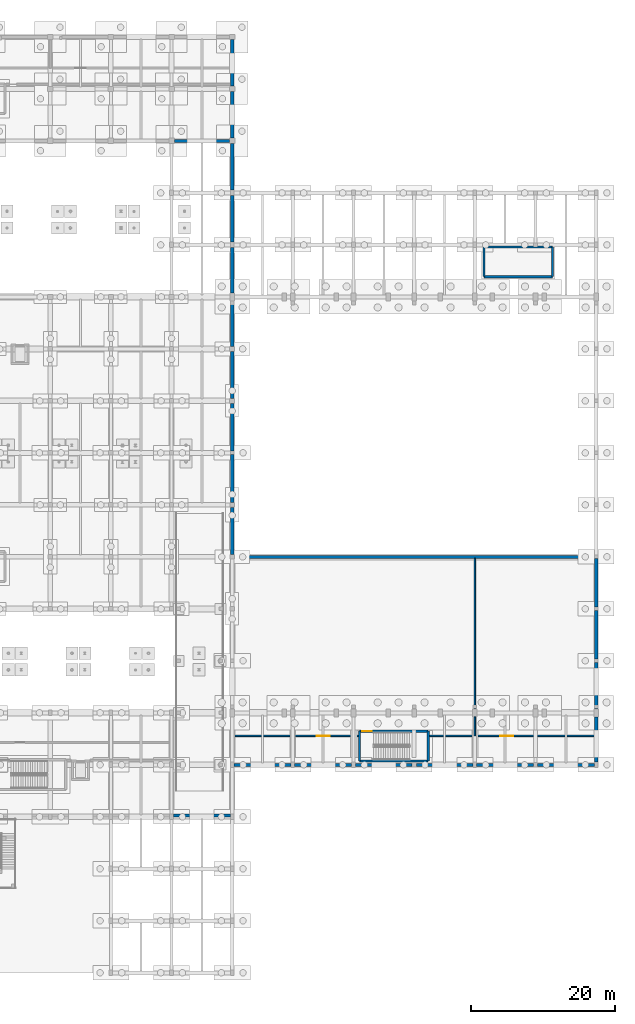
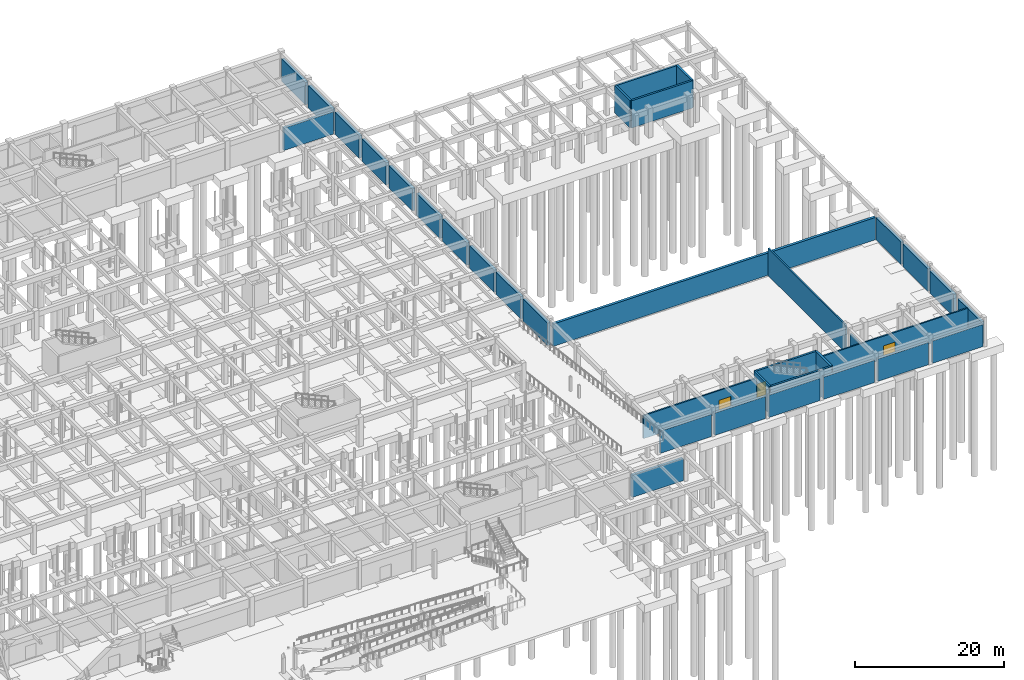
# One storey, part 64 of 80: 35 walls, 3 doors, 3 openings.
"""IFC4 building model written with IfcOpenShell, lengths in metres."""

import ifcopenshell
import ifcopenshell.guid

model = None  # the IFC model being written
_history = None  # IfcOwnerHistory: only IFC2X3 demands one
_inside = {}  # id of a spatial element -> (the spatial element, [elements in it])
_under = {}  # id of a project, library or spatial element -> (it, [spatial elements below it])
_declared = {}  # id of a project -> (the project, [libraries it declares])
_typed = {}  # id of a type object -> (the type object, [elements of that type])
_made_of = {}  # id of a material, layer set ... -> (it, [elements and type objects made of it])


def new_model(schema):
    """Start an empty IFC model of exactly this schema.

    Asked for "IFC4X3", IfcOpenShell would pick the latest addendum, in which some entities
    have other attributes; the version numbers below select the first issue.
    IFC2X3 requires an IfcOwnerHistory on every rooted entity: one is made here for all.
    """
    global model, _history
    if schema == "IFC4X3":
        model = ifcopenshell.file(schema_version=(4, 3, 0, 0))
    else:
        model = ifcopenshell.file(schema=schema)
    _inside.clear()
    _under.clear()
    _declared.clear()
    _typed.clear()
    _made_of.clear()
    _history = None
    if model.schema == "IFC2X3":
        org = make("IfcOrganization", Name="unknown")
        user = make(
            "IfcPersonAndOrganization",
            ThePerson=make("IfcPerson", FamilyName="unknown"),
            TheOrganization=org,
        )
        app = make(
            "IfcApplication",
            ApplicationDeveloper=org,
            Version="unknown",
            ApplicationFullName="unknown",
            ApplicationIdentifier="unknown",
        )
        _history = make(
            "IfcOwnerHistory",
            OwningUser=user,
            OwningApplication=app,
            ChangeAction="ADDED",
            CreationDate=0,
        )
    return model


def make(cls, **values):
    """One entity of the class cls with the attributes given. An attribute that is None is left unset."""
    return model.create_entity(
        cls, **{name: value for name, value in values.items() if value is not None}
    )


def rooted(cls, **values):
    """An entity with a GlobalId (a new one), such as an element, a storey or a relation."""
    return make(cls, GlobalId=ifcopenshell.guid.new(), OwnerHistory=_history, **values)


def si_unit(unit_type, name, prefix=None):
    """IfcSIUnit, for example si_unit("LENGTHUNIT", "METRE", prefix="MILLI")."""
    return make("IfcSIUnit", UnitType=unit_type, Prefix=prefix, Name=name)


def assignment(units):
    """IfcUnitAssignment: the units of a project."""
    return None if units is None else make("IfcUnitAssignment", Units=units)


def point(xyz):
    """IfcCartesianPoint."""
    return None if xyz is None else make("IfcCartesianPoint", Coordinates=xyz)


def direction(xyz):
    """IfcDirection."""
    return None if xyz is None else make("IfcDirection", DirectionRatios=xyz)


def frame(location, z_axis=None, x_axis=None):
    """IfcAxis2Placement3D, a coordinate frame: its origin and axes. An axis left out is left unset."""
    return make(
        "IfcAxis2Placement3D",
        Location=point(location),
        Axis=direction(z_axis),
        RefDirection=direction(x_axis),
    )


def frame_2d(location, x_axis=None):
    """IfcAxis2Placement2D, a coordinate frame in the plane: its origin and x axis."""
    return make(
        "IfcAxis2Placement2D", Location=point(location), RefDirection=direction(x_axis)
    )


def origin():
    """The frame at (0, 0, 0) with its axes left unset."""
    return frame((0.0, 0.0, 0.0))


def place(relative_to, where):
    """IfcLocalPlacement: puts the frame where relative to a parent placement (None: the world)."""
    return make(
        "IfcLocalPlacement", PlacementRelTo=relative_to, RelativePlacement=where
    )


def context(
    kind, dimensions, precision=None, world=None, true_north=None, identifier=None
):
    """IfcGeometricRepresentationContext, for example the 3D "Model" context."""
    return make(
        "IfcGeometricRepresentationContext",
        ContextIdentifier=identifier,
        ContextType=kind,
        CoordinateSpaceDimension=dimensions,
        Precision=precision,
        WorldCoordinateSystem=world,
        TrueNorth=true_north,
    )


def subcontext(parent, identifier, kind, view, scale=None):
    """IfcGeometricRepresentationSubContext, for example "Body" below "Model"."""
    return make(
        "IfcGeometricRepresentationSubContext",
        ContextIdentifier=identifier,
        ContextType=kind,
        ParentContext=parent,
        TargetScale=scale,
        TargetView=view,
    )


def project(units=None, contexts=None):
    """IfcProject with its units and contexts."""
    return rooted(
        "IfcProject",
        Name="project",
        RepresentationContexts=contexts,
        UnitsInContext=assignment(units),
    )


def spatial(cls, under=None, at=None, **own):
    """A site, building, storey or space (cls), placed at a placement, below another one or the project."""
    s = rooted(cls, ObjectPlacement=at, **own)
    if under is not None:
        _under.setdefault(under.id(), (under, []))[1].append(s)
    return s


def profile(cls, at=None, kind="AREA", **sizes):
    """A parametric profile (cls). Its sizes go by their IFC names, for example OverallWidth=200.0."""
    return make(cls, ProfileType=kind, Position=at, **sizes)


def rectangle(**sizes):
    """IfcRectangleProfileDef."""
    return profile("IfcRectangleProfileDef", **sizes)


def extrude(swept, where, along, depth):
    """IfcExtrudedAreaSolid: the profile swept, set in the frame where, extruded along a direction by depth."""
    return make(
        "IfcExtrudedAreaSolid",
        SweptArea=swept,
        Position=where,
        ExtrudedDirection=direction(along),
        Depth=depth,
    )


def shape(context_of_items, identifier, shape_type, items):
    """IfcShapeRepresentation: the items that make up one representation, for example the "Body"."""
    return make(
        "IfcShapeRepresentation",
        ContextOfItems=context_of_items,
        RepresentationIdentifier=identifier,
        RepresentationType=shape_type,
        Items=items,
    )


def material(Name=None, Category=None):
    """IfcMaterial."""
    return make("IfcMaterial", Name=Name, Category=Category)


def layer(
    of_material, thickness, ventilated=None, Name=None, Category=None, Priority=None
):
    """IfcMaterialLayer: one layer of a wall or slab, of a material (None: an air gap)."""
    return make(
        "IfcMaterialLayer",
        Material=of_material,
        LayerThickness=thickness,
        IsVentilated=ventilated,
        Name=Name,
        Category=Category,
        Priority=Priority,
    )


def layer_set(layers, Name=None):
    """IfcMaterialLayerSet."""
    return make("IfcMaterialLayerSet", MaterialLayers=layers, LayerSetName=Name)


def made_of(thing, what):
    """Note that an element or type object is made of a material, layer set ...; save() writes the relation."""
    if what is not None:
        _made_of.setdefault(what.id(), (what, []))[1].append(thing)
    return thing


def type_object(cls, material=None, **own):
    """A type object (cls), such as IfcWallType, which elements share."""
    return made_of(rooted(cls, **own), material)


def element(
    cls,
    number,
    at=None,
    inside=None,
    cuts=None,
    type_object=None,
    material=None,
    context=None,
    identifier="Body",
    shape_type=None,
    held_by="IfcProductDefinitionShape",
    body=None,
    shapes=None,
    **own,
):
    """One element of the class cls, such as IfcWall. Its Tag is "e" and its number.

    at: its placement. inside: the storey or other place that contains it. cuts: it is an
    opening in that element (IfcRelVoidsElement). A single representation is given by context,
    identifier, shape_type and body (its items); several are given by shapes. held_by: the class
    of the entity that holds the representations. save() writes the other relations.
    """
    e = rooted(cls, Tag="e%d" % number, ObjectPlacement=at, **own)
    if body is not None:
        shapes = [shape(context, identifier, shape_type, body)]
    if shapes is not None:
        e.Representation = make(held_by, Representations=shapes)
    if inside is not None:
        _inside.setdefault(inside.id(), (inside, []))[1].append(e)
    if cuts is not None:
        rooted(
            "IfcRelVoidsElement", RelatingBuildingElement=cuts, RelatedOpeningElement=e
        )
    if type_object is not None:
        _typed.setdefault(type_object.id(), (type_object, []))[1].append(e)
    return made_of(e, material)


def fill(opening, filler):
    """IfcRelFillsElement: the door or window that sits in an opening."""
    return rooted(
        "IfcRelFillsElement",
        RelatingOpeningElement=opening,
        RelatedBuildingElement=filler,
    )


def aggregate(whole, parts):
    """IfcRelAggregates: a whole, such as a stair, and the parts it consists of."""
    return rooted("IfcRelAggregates", RelatingObject=whole, RelatedObjects=parts)


def save(model, path):
    """Write the relations noted so far, then the file.

    IfcRelAggregates (storeys below a building ...), IfcRelContainedInSpatialStructure (elements
    in a storey), IfcRelDefinesByType, IfcRelAssociatesMaterial and IfcRelDeclares: one each for
    every whole, place, type object, material and project.
    """
    for whole, parts in _under.values():
        aggregate(whole, parts)
    for where, things in _inside.values():
        rooted(
            "IfcRelContainedInSpatialStructure",
            RelatedElements=things,
            RelatingStructure=where,
        )
    for kind, things in _typed.values():
        rooted("IfcRelDefinesByType", RelatedObjects=things, RelatingType=kind)
    for what, things in _made_of.values():
        rooted("IfcRelAssociatesMaterial", RelatedObjects=things, RelatingMaterial=what)
    for by, libraries in _declared.values():
        rooted("IfcRelDeclares", RelatingContext=by, RelatedDefinitions=libraries)
    model.write(path)


model = new_model("IFC4")

# Units and contexts
model_context = context("Model", 3, precision=1e-05, world=origin(), true_north=direction((0.0, 1.0)))
body_context = subcontext(model_context, "Body", "Model", "MODEL_VIEW")
ifc_project = project(units=[si_unit("LENGTHUNIT", "METRE"), si_unit("AREAUNIT", "SQUARE_METRE"), si_unit("VOLUMEUNIT", "CUBIC_METRE"), si_unit("PLANEANGLEUNIT", "RADIAN"), si_unit("MASSUNIT", "GRAM", prefix="KILO")], contexts=[model_context])

# Site, building, storey
site_placement = place(None, origin())
site = spatial("IfcSite", under=ifc_project, at=site_placement, CompositionType="ELEMENT")
building_placement = place(site_placement, origin())
building = spatial("IfcBuilding", under=site, at=building_placement, Name="Malvenik Polytechnic", CompositionType="ELEMENT")
storey_placement = place(building_placement, frame((0.0, 0.0, -4.800048828125)))
storey = spatial("IfcBuildingStorey", under=building, at=storey_placement, Name="B1", CompositionType="ELEMENT", Elevation=-4.800048828125)

# Walls
ifc_material_1 = material(Name="Concrete C35/45", Category="concrete")
ifc_layer_1 = layer(ifc_material_1, 0.300048828125)
ifc_layer_set_1 = layer_set([ifc_layer_1], Name="Concrete C35/45")
wall_type_1 = type_object("IfcWallType", Name="ARC-CW-S300", PredefinedType="SHEAR", material=ifc_layer_set_1)
wall_1_placement = place(storey_placement, frame((169.25, 96.39990234375, 0.0), z_axis=(0.0, 0.0, 1.0), x_axis=(0.0, 1.0, 0.0)))
element("IfcWall", 1, at=wall_1_placement, inside=storey, type_object=wall_type_1, Name="Stair Core Shear Wall ST-12 B1 NEAR", PredefinedType="SHEAR", context=body_context, shape_type="SweptSolid", body=[
    extrude(rectangle(XDim=4.10009765625, YDim=0.300048828125, at=frame_2d((2.050048828125, 0.0))), origin(), (0.0, 0.0, 1.0), 4.4599609375),
])
wall_2_placement = place(storey_placement, frame((169.25, 100.5, 0.0), z_axis=(0.0, 0.0, 1.0), x_axis=(1.0, 0.0, 0.0)))
element("IfcWall", 2, at=wall_2_placement, inside=storey, type_object=wall_type_1, Name="Stair Core Shear Wall ST-12 B1 RGHT", PredefinedType="SHEAR", context=body_context, shape_type="SweptSolid", body=[
    extrude(rectangle(XDim=9.5, YDim=0.300048828125, at=frame_2d((4.75, 0.0))), origin(), (0.0, 0.0, 1.0), 4.4599609375),
])
wall_3_placement = place(storey_placement, frame((178.75, 100.5, 0.0), z_axis=(0.0, 0.0, 1.0), x_axis=(0.0, -1.0, 0.0)))
element("IfcWall", 3, at=wall_3_placement, inside=storey, type_object=wall_type_1, Name="Stair Core Shear Wall ST-12 B1 FAR", PredefinedType="SHEAR", context=body_context, shape_type="SweptSolid", body=[
    extrude(rectangle(XDim=4.10009765625, YDim=0.300048828125, at=frame_2d((2.050048828125, 0.0))), origin(), (0.0, 0.0, 1.0), 4.4599609375),
])
wall_4_placement = place(storey_placement, frame((178.75, 96.39990234375, 0.0), z_axis=(0.0, 0.0, 1.0), x_axis=(-1.0, 0.0, 0.0)))
element("IfcWall", 4, at=wall_4_placement, inside=storey, type_object=wall_type_1, Name="Stair Core Shear Wall ST-12 B1 LEFT", PredefinedType="SHEAR", context=body_context, shape_type="SweptSolid", body=[
    extrude(rectangle(XDim=9.5, YDim=0.300048828125, at=frame_2d((4.75, 0.0))), origin(), (0.0, 0.0, 1.0), 4.4599609375),
])
wall_5_placement = place(storey_placement, frame((152.050048828125, 29.35009765625, 0.0), z_axis=(0.0, 0.0, 1.0), x_axis=(0.0, 1.0, 0.0)))
element("IfcWall", 5, at=wall_5_placement, inside=storey, type_object=wall_type_1, Name="Stair Core Shear Wall ST-13 B1 NEAR", PredefinedType="SHEAR", context=body_context, shape_type="SweptSolid", body=[
    extrude(rectangle(XDim=4.099853515625, YDim=0.300048828125, at=frame_2d((2.0498046875, 0.0))), origin(), (0.0, 0.0, 1.0), 4.4599609375),
])

# Wall, opening, door
wall_6_placement = place(storey_placement, frame((152.050048828125, 33.449951171875, 0.0), z_axis=(0.0, 0.0, 1.0), x_axis=(1.0, 0.0, 0.0)))
wall_6 = element("IfcWall", 6, at=wall_6_placement, inside=storey, type_object=wall_type_1, Name="Stair Core Shear Wall ST-13 B1 RGHT", PredefinedType="SHEAR", context=body_context, shape_type="SweptSolid", body=[
    extrude(rectangle(XDim=9.5, YDim=0.300048828125, at=frame_2d((4.75, 0.0))), origin(), (0.0, 0.0, 1.0), 4.4599609375),
])
opening_1_placement = place(wall_6_placement, frame((0.35009765625, 0.0, 0.0)))
opening_1 = element("IfcOpeningElement", 7, at=opening_1_placement, cuts=wall_6, Name="Opening SD-01", PredefinedType="OPENING", context=body_context, shape_type="SweptSolid", body=[
    extrude(rectangle(XDim=1.35009765625, YDim=2.199951171875, at=frame_2d((0.675048828125, 1.10009765625))), frame((0.0, 0.16015625, 0.0), z_axis=(0.0, -1.0, 0.0), x_axis=(1.0, 0.0, 0.0)), (0.0, 0.0, 1.0), 0.320068359375),
])
ifc_material_2 = material(Name="Fire-rated steel stair enclosure door", Category="steel")
door_type_1 = type_object("IfcDoorType", Name="ARC-IDR-SD-01", OperationType="NOTDEFINED", PredefinedType="DOOR", material=ifc_material_2)
door_1_placement = place(opening_1_placement, origin())
door_1 = element("IfcDoor", 8, at=door_1_placement, inside=storey, type_object=door_type_1, Name="Fire Stair Door ST-13 B1", OperationType="SINGLE_SWING_LEFT", OverallHeight=2.199951171875, OverallWidth=1.35009765625, PredefinedType="DOOR", context=body_context, shape_type="SweptSolid", body=[
    extrude(rectangle(XDim=1.35009765625, YDim=2.199951171875, at=frame_2d((0.675048828125, 1.10009765625))), frame((0.0, 0.02490234375, 0.0), z_axis=(0.0, -1.0, 0.0), x_axis=(1.0, 0.0, 0.0)), (0.0, 0.0, 1.0), 0.050048828125),
])
fill(opening_1, door_1)

# Walls
wall_7_placement = place(storey_placement, frame((161.550048828125, 33.449951171875, 0.0), z_axis=(0.0, 0.0, 1.0), x_axis=(0.0, -1.0, 0.0)))
element("IfcWall", 9, at=wall_7_placement, inside=storey, type_object=wall_type_1, Name="Stair Core Shear Wall ST-13 B1 FAR", PredefinedType="SHEAR", context=body_context, shape_type="SweptSolid", body=[
    extrude(rectangle(XDim=4.099853515625, YDim=0.300048828125, at=frame_2d((2.0498046875, 0.0))), origin(), (0.0, 0.0, 1.0), 4.4599609375),
])
wall_8_placement = place(storey_placement, frame((161.550048828125, 29.35009765625, 0.0), z_axis=(0.0, 0.0, 1.0), x_axis=(-1.0, 0.0, 0.0)))
element("IfcWall", 10, at=wall_8_placement, inside=storey, type_object=wall_type_1, Name="Stair Core Shear Wall ST-13 B1 LEFT", PredefinedType="SHEAR", context=body_context, shape_type="SweptSolid", body=[
    extrude(rectangle(XDim=9.5, YDim=0.300048828125, at=frame_2d((4.75, 0.0))), origin(), (0.0, 0.0, 1.0), 4.4599609375),
])
ifc_material_3 = material(Name="Concrete C30/37", Category="concrete")
ifc_layer_2 = layer(ifc_material_3, 0.3798828125)
ifc_layer_set_2 = layer_set([ifc_layer_2], Name="Concrete C30/37")
wall_type_2 = type_object("IfcWallType", Name="ARC-EW-380", PredefinedType="SOLIDWALL", material=ifc_layer_set_2)
wall_9_placement = place(storey_placement, frame((134.152099609375, 21.77001953125, 0.0), z_axis=(0.0, 0.0, 1.0), x_axis=(-1.0, 0.0, 0.0)))
element("IfcWall", 11, at=wall_9_placement, inside=storey, type_object=wall_type_2, Name="External Facade Wall EW-01 B1 #1", PredefinedType="SOLIDWALL", context=body_context, shape_type="SweptSolid", body=[
    extrude(rectangle(XDim=7.904052734375, YDim=0.3798828125, at=frame_2d((3.9521484375, 0.0))), origin(), (0.0, 0.0, 1.0), 3.64013671875),
])

# Wall, opening, door
ifc_material_4 = material(Name="Autoclaved aerated concrete blockwork 220mm", Category="masonry")
ifc_layer_3 = layer(ifc_material_4, 0.219970703125)
ifc_layer_set_3 = layer_set([ifc_layer_3], Name="Autoclaved aerated concrete blockwork 220mm")
wall_type_3 = type_object("IfcWallType", Name="ARC-FW-220", PredefinedType="SOLIDWALL", material=ifc_layer_set_3)
wall_10_placement = place(storey_placement, frame((134.39990234375, 32.800048828125, 0.0), z_axis=(0.0, 0.0, 1.0), x_axis=(1.0, 0.0, 0.0)))
wall_10 = element("IfcWall", 12, at=wall_10_placement, inside=storey, type_object=wall_type_3, Name="Interior Partition FW-01 B1 #40", PredefinedType="SOLIDWALL", context=body_context, shape_type="SweptSolid", body=[
    extrude(rectangle(XDim=17.510009765625, YDim=0.219970703125, at=frame_2d((8.7548828125, 0.0))), origin(), (0.0, 0.0, 1.0), 3.78515625),
])
opening_2_placement = place(wall_10_placement, frame((11.699951171875, 0.0, 0.0)))
opening_2 = element("IfcOpeningElement", 13, at=opening_2_placement, cuts=wall_10, Name="Opening FD-02", PredefinedType="OPENING", context=body_context, shape_type="SweptSolid", body=[
    extrude(rectangle(XDim=1.800048828125, YDim=2.199951171875, at=frame_2d((0.89990234375, 1.10009765625))), frame((0.0, 0.1201171875, 0.0), z_axis=(0.0, -1.0, 0.0), x_axis=(1.0, 0.0, 0.0)), (0.0, 0.0, 1.0), 0.239990234375),
])
ifc_material_5 = material(Name="Fire-rated double-leaf corridor compartment door", Category="steel")
door_type_2 = type_object("IfcDoorType", Name="ARC-IDR-FD-02", OperationType="NOTDEFINED", PredefinedType="DOOR", material=ifc_material_5)
door_2_placement = place(opening_2_placement, origin())
door_2 = element("IfcDoor", 14, at=door_2_placement, inside=storey, type_object=door_type_2, Name="Interior Door FD-02 B1 #19", OperationType="DOUBLE_DOOR_SINGLE_SWING", OverallHeight=2.199951171875, OverallWidth=1.800048828125, PredefinedType="DOOR", context=body_context, shape_type="SweptSolid", body=[
    extrude(rectangle(XDim=1.800048828125, YDim=2.199951171875, at=frame_2d((0.89990234375, 1.10009765625))), frame((0.0, 0.02490234375, 0.0), z_axis=(0.0, -1.0, 0.0), x_axis=(1.0, 0.0, 0.0)), (0.0, 0.0, 1.0), 0.050048828125),
])
fill(opening_2, door_2)

wall_11_placement = place(storey_placement, frame((161.68994140625, 32.800048828125, 0.0), z_axis=(0.0, 0.0, 1.0), x_axis=(1.0, 0.0, 0.0)))
wall_11 = element("IfcWall", 15, at=wall_11_placement, inside=storey, type_object=wall_type_3, Name="Interior Partition FW-01 B1 #41", PredefinedType="SOLIDWALL", context=body_context, shape_type="SweptSolid", body=[
    extrude(rectangle(XDim=22.89013671875, YDim=0.219970703125, at=frame_2d((11.445068359375, 0.0))), origin(), (0.0, 0.0, 1.0), 3.78515625),
])
opening_3_placement = place(wall_11_placement, frame((9.81005859375, 0.0, 0.0)))
opening_3 = element("IfcOpeningElement", 16, at=opening_3_placement, cuts=wall_11, Name="Opening FD-02", PredefinedType="OPENING", context=body_context, shape_type="SweptSolid", body=[
    extrude(rectangle(XDim=1.800048828125, YDim=2.199951171875, at=frame_2d((0.89990234375, 1.10009765625))), frame((0.0, 0.1201171875, 0.0), z_axis=(0.0, -1.0, 0.0), x_axis=(1.0, 0.0, 0.0)), (0.0, 0.0, 1.0), 0.239990234375),
])
door_3_placement = place(opening_3_placement, origin())
door_3 = element("IfcDoor", 17, at=door_3_placement, inside=storey, type_object=door_type_2, Name="Interior Door FD-02 B1 #20", OperationType="DOUBLE_DOOR_SINGLE_SWING", OverallHeight=2.199951171875, OverallWidth=1.800048828125, PredefinedType="DOOR", context=body_context, shape_type="SweptSolid", body=[
    extrude(rectangle(XDim=1.800048828125, YDim=2.199951171875, at=frame_2d((0.89990234375, 1.10009765625))), frame((0.0, 0.02490234375, 0.0), z_axis=(0.0, -1.0, 0.0), x_axis=(1.0, 0.0, 0.0)), (0.0, 0.0, 1.0), 0.050048828125),
])
fill(opening_3, door_3)

# Walls
wall_12_placement = place(storey_placement, frame((168.0, 32.800048828125, 0.0), z_axis=(0.0, 0.0, 1.0), x_axis=(0.0, 1.0, 0.0)))
element("IfcWall", 18, at=wall_12_placement, inside=storey, type_object=wall_type_3, Name="Interior Partition FW-01 B1 #42", PredefinedType="SOLIDWALL", context=body_context, shape_type="SweptSolid", body=[
    extrude(rectangle(XDim=2.6298828125, YDim=0.219970703125, at=frame_2d((1.31494140625, 0.0))), origin(), (0.0, 0.0, 1.0), 3.78515625),
])
wall_13_placement = place(storey_placement, frame((168.0, 36.570068359375, 0.0), z_axis=(0.0, 0.0, 1.0), x_axis=(0.0, 1.0, 0.0)))
element("IfcWall", 19, at=wall_13_placement, inside=storey, type_object=wall_type_3, Name="Interior Partition FW-01 B1 #43", PredefinedType="SOLIDWALL", context=body_context, shape_type="SweptSolid", body=[
    extrude(rectangle(XDim=20.809814453125, YDim=0.219970703125, at=frame_2d((10.40478515625, 0.0))), origin(), (0.0, 0.0, 1.0), 4.449951171875),
])
ifc_layer_4 = layer(ifc_material_1, 0.39990234375)
ifc_layer_set_4 = layer_set([ifc_layer_4], Name="Concrete C35/45")
wall_type_4 = type_object("IfcWallType", Name="STR-WL-RET-400", PredefinedType="SHEAR", material=ifc_layer_set_4)
wall_14_placement = place(storey_placement, frame((126.3798828125, 115.199951171875, 0.0), z_axis=(0.0, 0.0, 1.0), x_axis=(1.0, 0.0, 0.0)))
element("IfcWall", 20, at=wall_14_placement, inside=storey, type_object=wall_type_4, Name="Basement Retaining Wall RW-400 #34", PredefinedType="SHEAR", context=body_context, shape_type="SweptSolid", body=[
    extrude(rectangle(XDim=7.64013671875, YDim=0.39990234375, at=frame_2d((3.820068359375, 0.0))), origin(), (0.0, 0.0, 1.0), 3.64013671875),
])
wall_15_placement = place(storey_placement, frame((134.655029296875, 28.800048828125, 0.0), z_axis=(0.0, 0.0, 1.0), x_axis=(1.0, 0.0, 0.0)))
element("IfcWall", 21, at=wall_15_placement, inside=storey, type_object=wall_type_4, Name="Basement Retaining Wall RW-400 #55", PredefinedType="SHEAR", context=body_context, shape_type="SweptSolid", body=[
    extrude(rectangle(XDim=7.889892578125, YDim=0.39990234375, at=frame_2d((3.94482421875, 0.0))), origin(), (0.0, 0.0, 1.0), 3.64013671875),
])
wall_16_placement = place(storey_placement, frame((143.054931640625, 28.800048828125, 0.0), z_axis=(0.0, 0.0, 1.0), x_axis=(1.0, 0.0, 0.0)))
element("IfcWall", 22, at=wall_16_placement, inside=storey, type_object=wall_type_4, Name="Basement Retaining Wall RW-400 #56", PredefinedType="SHEAR", context=body_context, shape_type="SweptSolid", body=[
    extrude(rectangle(XDim=7.89013671875, YDim=0.39990234375, at=frame_2d((3.945068359375, 0.0))), origin(), (0.0, 0.0, 1.0), 3.64013671875),
])
wall_17_placement = place(storey_placement, frame((151.455078125, 28.800048828125, 0.0), z_axis=(0.0, 0.0, 1.0), x_axis=(1.0, 0.0, 0.0)))
element("IfcWall", 23, at=wall_17_placement, inside=storey, type_object=wall_type_4, Name="Basement Retaining Wall RW-400 #57", PredefinedType="SHEAR", context=body_context, shape_type="SweptSolid", body=[
    extrude(rectangle(XDim=7.83984375, YDim=0.39990234375, at=frame_2d((3.919921875, 0.0))), origin(), (0.0, 0.0, 1.0), 3.64013671875),
])
for number, where, z_axis, x_axis, name in (
    (24, (159.905029296875, 28.800048828125, 0.0), (0.0, 0.0, 1.0), (1.0, 0.0, 0.0), "Basement Retaining Wall RW-400 #58"),
    (25, (168.2548828125, 28.800048828125, 0.0), (0.0, 0.0, 1.0), (1.0, 0.0, 0.0), "Basement Retaining Wall RW-400 #59"),
):
    element("IfcWall", number, at=place(storey_placement, frame(where, z_axis=z_axis, x_axis=x_axis)), inside=storey, type_object=wall_type_4, Name=name, PredefinedType="SHEAR", context=body_context, shape_type="SweptSolid", body=[
        extrude(rectangle(XDim=7.840087890625, YDim=0.39990234375, at=frame_2d((3.919921875, 0.0))), origin(), (0.0, 0.0, 1.0), 3.64013671875),
    ])
wall_18_placement = place(storey_placement, frame((176.705078125, 28.800048828125, 0.0), z_axis=(0.0, 0.0, 1.0), x_axis=(1.0, 0.0, 0.0)))
element("IfcWall", 26, at=wall_18_placement, inside=storey, type_object=wall_type_4, Name="Basement Retaining Wall RW-400 #60", PredefinedType="SHEAR", context=body_context, shape_type="SweptSolid", body=[
    extrude(rectangle(XDim=7.83984375, YDim=0.39990234375, at=frame_2d((3.919921875, 0.0))), origin(), (0.0, 0.0, 1.0), 3.64013671875),
])
wall_19_placement = place(storey_placement, frame((134.72998046875, 57.60009765625, 0.0), z_axis=(0.0, 0.0, 1.0), x_axis=(1.0, 0.0, 0.0)))
element("IfcWall", 27, at=wall_19_placement, inside=storey, type_object=wall_type_4, Name="Basement Retaining Wall RW-400 #61", PredefinedType="SHEAR", context=body_context, shape_type="SweptSolid", body=[
    extrude(rectangle(XDim=49.81494140625, YDim=0.39990234375, at=frame_2d((24.907470703125, 0.0))), origin(), (0.0, 0.0, 1.0), 3.64013671875),
])
ifc_layer_5 = layer(ifc_material_1, 0.449951171875)
ifc_layer_set_5 = layer_set([ifc_layer_5], Name="Concrete C35/45")
wall_type_5 = type_object("IfcWallType", Name="STR-WL-RET-450", PredefinedType="SHEAR", material=ifc_layer_set_5)
wall_20_placement = place(storey_placement, frame((134.39990234375, 57.929931640625, 0.0), z_axis=(0.0, 0.0, 1.0), x_axis=(0.0, 1.0, 0.0)))
element("IfcWall", 28, at=wall_20_placement, inside=storey, type_object=wall_type_5, Name="Basement Retaining Wall RW-450 #41", PredefinedType="SHEAR", context=body_context, shape_type="SweptSolid", body=[
    extrude(rectangle(XDim=6.5400390625, YDim=0.449951171875, at=frame_2d((3.27001953125, 0.0))), origin(), (0.0, 0.0, 1.0), 3.64013671875),
])
wall_21_placement = place(storey_placement, frame((134.39990234375, 65.1298828125, 0.0), z_axis=(0.0, 0.0, 1.0), x_axis=(0.0, 1.0, 0.0)))
element("IfcWall", 29, at=wall_21_placement, inside=storey, type_object=wall_type_5, Name="Basement Retaining Wall RW-450 #42", PredefinedType="SHEAR", context=body_context, shape_type="SweptSolid", body=[
    extrude(rectangle(XDim=6.615234375, YDim=0.449951171875, at=frame_2d((3.3076171875, 0.0))), origin(), (0.0, 0.0, 1.0), 3.64013671875),
])
wall_22_placement = place(storey_placement, frame((134.39990234375, 72.2548828125, 0.0), z_axis=(0.0, 0.0, 1.0), x_axis=(0.0, 1.0, 0.0)))
element("IfcWall", 30, at=wall_22_placement, inside=storey, type_object=wall_type_5, Name="Basement Retaining Wall RW-450 #43", PredefinedType="SHEAR", context=body_context, shape_type="SweptSolid", body=[
    extrude(rectangle(XDim=6.590087890625, YDim=0.449951171875, at=frame_2d((3.294921875, 0.0))), origin(), (0.0, 0.0, 1.0), 3.64013671875),
])
wall_23_placement = place(storey_placement, frame((134.39990234375, 79.554931640625, 0.0), z_axis=(0.0, 0.0, 1.0), x_axis=(0.0, 1.0, 0.0)))
element("IfcWall", 31, at=wall_23_placement, inside=storey, type_object=wall_type_5, Name="Basement Retaining Wall RW-450 #44", PredefinedType="SHEAR", context=body_context, shape_type="SweptSolid", body=[
    extrude(rectangle(XDim=6.489990234375, YDim=0.449951171875, at=frame_2d((3.2451171875, 0.0))), origin(), (0.0, 0.0, 1.0), 3.64013671875),
])
wall_24_placement = place(storey_placement, frame((134.39990234375, 86.7548828125, 0.0), z_axis=(0.0, 0.0, 1.0), x_axis=(0.0, 1.0, 0.0)))
element("IfcWall", 32, at=wall_24_placement, inside=storey, type_object=wall_type_5, Name="Basement Retaining Wall RW-450 #45", PredefinedType="SHEAR", context=body_context, shape_type="SweptSolid", body=[
    extrude(rectangle(XDim=6.2900390625, YDim=0.449951171875, at=frame_2d((3.14501953125, 0.0))), origin(), (0.0, 0.0, 1.0), 3.64013671875),
])
wall_25_placement = place(storey_placement, frame((134.39990234375, 94.155029296875, 0.0), z_axis=(0.0, 0.0, 1.0), x_axis=(0.0, 1.0, 0.0)))
element("IfcWall", 33, at=wall_25_placement, inside=storey, type_object=wall_type_5, Name="Basement Retaining Wall RW-450 #46", PredefinedType="SHEAR", context=body_context, shape_type="SweptSolid", body=[
    extrude(rectangle(XDim=6.264892578125, YDim=0.449951171875, at=frame_2d((3.13232421875, 0.0))), origin(), (0.0, 0.0, 1.0), 3.64013671875),
])
for number, where, z_axis, x_axis, name in (
    (34, (134.39990234375, 101.179931640625, 0.0), (0.0, 0.0, 1.0), (0.0, 1.0, 0.0), "Basement Retaining Wall RW-450 #47"),
    (35, (134.39990234375, 108.3798828125, 0.0), (0.0, 0.0, 1.0), (0.0, 1.0, 0.0), "Basement Retaining Wall RW-450 #48"),
):
    element("IfcWall", number, at=place(storey_placement, frame(where, z_axis=z_axis, x_axis=x_axis)), inside=storey, type_object=wall_type_5, Name=name, PredefinedType="SHEAR", context=body_context, shape_type="SweptSolid", body=[
        extrude(rectangle(XDim=6.440185546875, YDim=0.449951171875, at=frame_2d((3.22021484375, 0.0))), origin(), (0.0, 0.0, 1.0), 3.64013671875),
    ])
for number, where, z_axis, x_axis, name in (
    (36, (134.39990234375, 115.580078125, 0.0), (0.0, 0.0, 1.0), (0.0, 1.0, 0.0), "Basement Retaining Wall RW-450 #49"),
    (37, (134.39990234375, 122.780029296875, 0.0), (0.0, 0.0, 1.0), (0.0, 1.0, 0.0), "Basement Retaining Wall RW-450 #50"),
):
    element("IfcWall", number, at=place(storey_placement, frame(where, z_axis=z_axis, x_axis=x_axis)), inside=storey, type_object=wall_type_5, Name=name, PredefinedType="SHEAR", context=body_context, shape_type="SweptSolid", body=[
        extrude(rectangle(XDim=6.43994140625, YDim=0.449951171875, at=frame_2d((3.219970703125, 0.0))), origin(), (0.0, 0.0, 1.0), 3.64013671875),
    ])
wall_26_placement = place(storey_placement, frame((184.800048828125, 29.179931640625, 0.0), z_axis=(0.0, 0.0, 1.0), x_axis=(0.0, 1.0, 0.0)))
element("IfcWall", 38, at=wall_26_placement, inside=storey, type_object=wall_type_5, Name="Basement Retaining Wall RW-450 #51", PredefinedType="SHEAR", context=body_context, shape_type="SweptSolid", body=[
    extrude(rectangle(XDim=6.26513671875, YDim=0.449951171875, at=frame_2d((3.132568359375, 0.0))), origin(), (0.0, 0.0, 1.0), 3.64013671875),
])
wall_27_placement = place(storey_placement, frame((184.800048828125, 36.554931640625, 0.0), z_axis=(0.0, 0.0, 1.0), x_axis=(0.0, 1.0, 0.0)))
element("IfcWall", 39, at=wall_27_placement, inside=storey, type_object=wall_type_5, Name="Basement Retaining Wall RW-450 #52", PredefinedType="SHEAR", context=body_context, shape_type="SweptSolid", body=[
    extrude(rectangle(XDim=6.39013671875, YDim=0.449951171875, at=frame_2d((3.195068359375, 0.0))), origin(), (0.0, 0.0, 1.0), 3.64013671875),
])
for number, where, z_axis, x_axis, name in (
    (40, (184.800048828125, 43.455078125, 0.0), (0.0, 0.0, 1.0), (0.0, 1.0, 0.0), "Basement Retaining Wall RW-450 #53"),
    (41, (184.800048828125, 50.655029296875, 0.0), (0.0, 0.0, 1.0), (0.0, 1.0, 0.0), "Basement Retaining Wall RW-450 #54"),
):
    element("IfcWall", number, at=place(storey_placement, frame(where, z_axis=z_axis, x_axis=x_axis)), inside=storey, type_object=wall_type_5, Name=name, PredefinedType="SHEAR", context=body_context, shape_type="SweptSolid", body=[
        extrude(rectangle(XDim=6.68994140625, YDim=0.449951171875, at=frame_2d((3.344970703125, 0.0))), origin(), (0.0, 0.0, 1.0), 3.64013671875),
    ])

save(model, "model.ifc")
